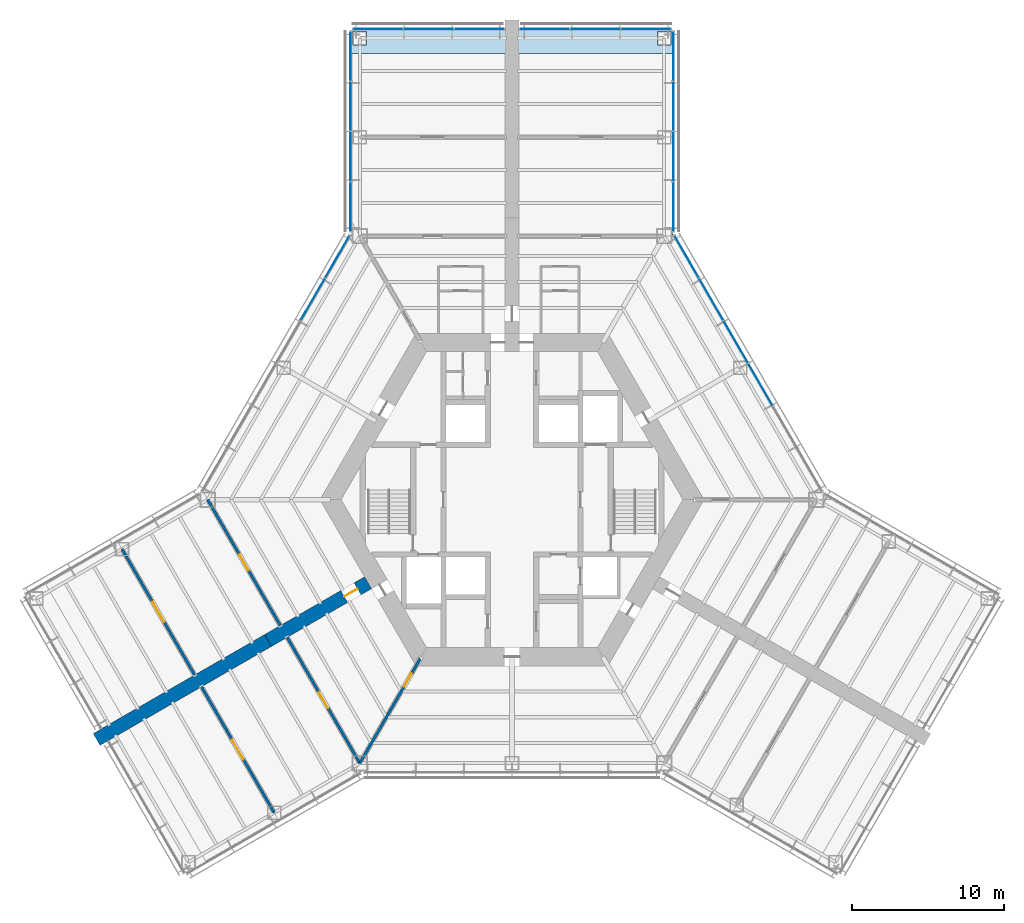
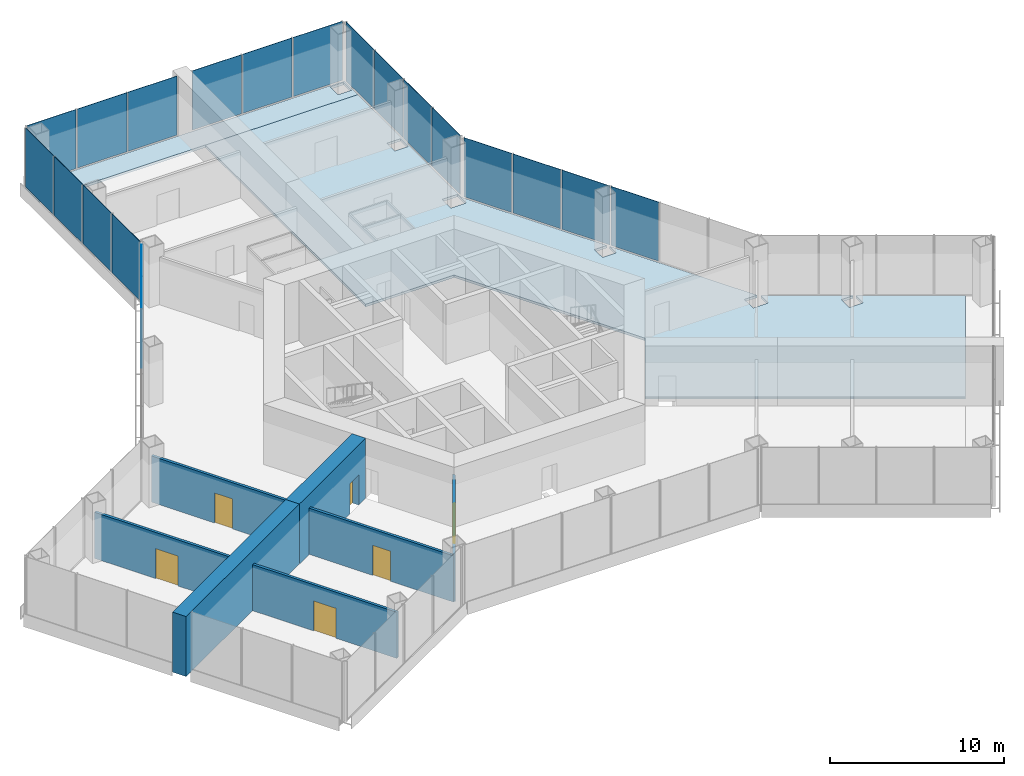
# One storey, part 10 of 15: 20 plates, 7 walls, 6 doors, 2 slabs, 6 openings, 6 elements without a shape of their own.
"""IFC4 building model written with IfcOpenShell, lengths in metres."""

from ifc_helpers import new_model, si_unit, direction, frame, frame_2d, origin, origin_2d, place, context, subcontext, project, spatial, polyline, rectangle, outline, extrude, material, layer, layer_set, type_object, element, fill, aggregate, save


model = new_model("IFC4")

# Units and contexts
model_context = context("Model", 3, precision=1e-05, world=origin(), true_north=direction((0.0, 1.0)))
body_context = subcontext(model_context, "Body", "Model", "MODEL_VIEW")
ifc_project = project(units=[si_unit("LENGTHUNIT", "METRE"), si_unit("AREAUNIT", "SQUARE_METRE"), si_unit("VOLUMEUNIT", "CUBIC_METRE"), si_unit("PLANEANGLEUNIT", "RADIAN"), si_unit("MASSUNIT", "GRAM", prefix="KILO")], contexts=[model_context])

# Site, building, storey
site_placement = place(None, origin())
site = spatial("IfcSite", under=ifc_project, at=site_placement, CompositionType="ELEMENT")
building_placement = place(site_placement, origin())
building = spatial("IfcBuilding", under=site, at=building_placement, Name="Kasaneha Research Tower", CompositionType="ELEMENT")
storey_placement = place(building_placement, frame((0.0, 0.0, 31.0)))
storey = spatial("IfcBuildingStorey", under=building, at=storey_placement, Name="L08", CompositionType="ELEMENT", Elevation=31.0)

# Curtain wall, plates
ifc_material_1 = material(Name="Glass and aluminium", Category="aluminium")
curtain_wall_type = type_object("IfcCurtainWallType", Name="Dry laboratory curtain wall", PredefinedType="USERDEFINED", material=ifc_material_1)
curtain_wall_1_placement = place(storey_placement, origin())
curtain_wall_1 = element("IfcCurtainWall", 1, at=curtain_wall_1_placement, inside=storey, type_object=curtain_wall_type, Name="CW-L2 L08 run 07a", ObjectType="UNITISED CURTAIN WALL", PredefinedType="USERDEFINED")
ifc_material_2 = material(Name="Laminated double glazing", Category="glass")
ifc_layer_1 = layer(ifc_material_2, 0.028076171875)
ifc_layer_set_1 = layer_set([ifc_layer_1], Name="CW-L2 glazed panel")
plate_type = type_object("IfcPlateType", Name="CW-L2 glazed panel", PredefinedType="CURTAIN_PANEL", material=ifc_layer_set_1)
plate_1_placement = place(storey_placement, frame((16.331298828125, 7.554443359375, 0.06494140625), z_axis=(0.0, 0.0, 1.0), x_axis=(-0.49999996188, 0.866025425793, 0.0)))
plate_1 = element("IfcPlate", 2, at=plate_1_placement, type_object=plate_type, Name="CW-L2 panel 3", PredefinedType="CURTAIN_PANEL", context=body_context, shape_type="SweptSolid", body=[
    extrude(rectangle(XDim=3.181396484375, YDim=0.028076171875, at=origin_2d()), origin(), (0.0, 0.0, 1.0), 4.135009765625),
])
plate_2_placement = place(storey_placement, frame((14.7080078125, 10.365966796875, 0.06494140625), z_axis=(0.0, 0.0, 1.0), x_axis=(-0.49999996188, 0.866025425793, 0.0)))
plate_2 = element("IfcPlate", 3, at=plate_2_placement, type_object=plate_type, Name="CW-L2 panel 4", PredefinedType="CURTAIN_PANEL", context=body_context, shape_type="SweptSolid", body=[
    extrude(rectangle(XDim=3.181396484375, YDim=0.028076171875, at=origin_2d()), origin(), (0.0, 0.0, 1.0), 4.135009765625),
])
plate_3_placement = place(storey_placement, frame((13.084716796875, 13.177490234375, 0.06494140625), z_axis=(0.0, 0.0, 1.0), x_axis=(-0.49999996188, 0.866025425793, 0.0)))
plate_3 = element("IfcPlate", 4, at=plate_3_placement, type_object=plate_type, Name="CW-L2 panel 5", PredefinedType="CURTAIN_PANEL", context=body_context, shape_type="SweptSolid", body=[
    extrude(rectangle(XDim=3.181396484375, YDim=0.028076171875, at=origin_2d()), origin(), (0.0, 0.0, 1.0), 4.135009765625),
])
plate_4_placement = place(storey_placement, frame((11.4697265625, 15.974853515625, 0.06494140625), z_axis=(0.0, 0.0, 1.0), x_axis=(-0.49999996188, 0.866025425793, 0.0)))
plate_4 = element("IfcPlate", 5, at=plate_4_placement, type_object=plate_type, Name="CW-L2 panel 6", PredefinedType="CURTAIN_PANEL", context=body_context, shape_type="SweptSolid", body=[
    extrude(rectangle(XDim=3.14892578125, YDim=0.028076171875, at=origin_2d()), origin(), (0.0, 0.0, 1.0), 4.135009765625),
])
aggregate(curtain_wall_1, [plate_1, plate_2, plate_3, plate_4])

curtain_wall_2_placement = place(storey_placement, origin())
curtain_wall_2 = element("IfcCurtainWall", 6, at=curtain_wall_2_placement, inside=storey, type_object=curtain_wall_type, Name="CW-L2 L08 run 08a", ObjectType="UNITISED CURTAIN WALL", PredefinedType="USERDEFINED")
plate_5_placement = place(storey_placement, frame((10.60009765625, 19.25244140625, 0.06494140625), z_axis=(0.0, 0.0, 1.0), x_axis=(0.0, 1.0, 0.0)))
plate_5 = element("IfcPlate", 7, at=plate_5_placement, type_object=plate_type, Name="CW-L2 panel 1", PredefinedType="CURTAIN_PANEL", context=body_context, shape_type="SweptSolid", body=[
    extrude(rectangle(XDim=3.21240234375, YDim=0.028076171875, at=origin_2d()), origin(), (0.0, 0.0, 1.0), 4.135009765625),
])
plate_6_placement = place(storey_placement, frame((10.60009765625, 22.5458984375, 0.06494140625), z_axis=(0.0, 0.0, 1.0), x_axis=(0.0, 1.0, 0.0)))
plate_6 = element("IfcPlate", 8, at=plate_6_placement, type_object=plate_type, Name="CW-L2 panel 2", PredefinedType="CURTAIN_PANEL", context=body_context, shape_type="SweptSolid", body=[
    extrude(rectangle(XDim=3.244873046875, YDim=0.028076171875, at=origin_2d()), origin(), (0.0, 0.0, 1.0), 4.135009765625),
])
plate_7_placement = place(storey_placement, frame((10.60009765625, 25.855712890625, 0.06494140625), z_axis=(0.0, 0.0, 1.0), x_axis=(0.0, 1.0, 0.0)))
plate_7 = element("IfcPlate", 9, at=plate_7_placement, type_object=plate_type, Name="CW-L2 panel 3", PredefinedType="CURTAIN_PANEL", context=body_context, shape_type="SweptSolid", body=[
    extrude(rectangle(XDim=3.244873046875, YDim=0.028076171875, at=origin_2d()), origin(), (0.0, 0.0, 1.0), 4.135009765625),
])
plate_8_placement = place(storey_placement, frame((10.60009765625, 29.1494140625, 0.06494140625), z_axis=(0.0, 0.0, 1.0), x_axis=(0.0, 1.0, 0.0)))
plate_8 = element("IfcPlate", 10, at=plate_8_placement, type_object=plate_type, Name="CW-L2 panel 4", PredefinedType="CURTAIN_PANEL", context=body_context, shape_type="SweptSolid", body=[
    extrude(rectangle(XDim=3.21240234375, YDim=0.028076171875, at=origin_2d()), origin(), (0.0, 0.0, 1.0), 4.135009765625),
])
aggregate(curtain_wall_2, [plate_5, plate_6, plate_7, plate_8])

curtain_wall_3_placement = place(storey_placement, origin())
curtain_wall_3 = element("IfcCurtainWall", 11, at=curtain_wall_3_placement, inside=storey, type_object=curtain_wall_type, Name="CW-L2 L08 run 09a", ObjectType="UNITISED CURTAIN WALL", PredefinedType="USERDEFINED")
plate_9_placement = place(storey_placement, frame((8.808837890625, 30.92041015625, 0.06494140625), z_axis=(0.0, 0.0, 1.0), x_axis=(-1.0, 0.0, 0.0)))
plate_9 = element("IfcPlate", 12, at=plate_9_placement, type_object=plate_type, Name="CW-L2 panel 1", PredefinedType="CURTAIN_PANEL", context=body_context, shape_type="SweptSolid", body=[
    extrude(rectangle(XDim=3.25244140625, YDim=0.028076171875, at=origin_2d()), origin(), (0.0, 0.0, 1.0), 4.135009765625),
])
plate_10_placement = place(storey_placement, frame((5.47509765625, 30.92041015625, 0.06494140625), z_axis=(0.0, 0.0, 1.0), x_axis=(-1.0, 0.0, 0.0)))
plate_10 = element("IfcPlate", 13, at=plate_10_placement, type_object=plate_type, Name="CW-L2 panel 2", PredefinedType="CURTAIN_PANEL", context=body_context, shape_type="SweptSolid", body=[
    extrude(rectangle(XDim=3.284912109375, YDim=0.028076171875, at=origin_2d()), origin(), (0.0, 0.0, 1.0), 4.135009765625),
])
plate_11_placement = place(storey_placement, frame((2.141357421875, 30.92041015625, 0.06494140625), z_axis=(0.0, 0.0, 1.0), x_axis=(-1.0, 0.0, 0.0)))
plate_11 = element("IfcPlate", 14, at=plate_11_placement, type_object=plate_type, Name="CW-L2 panel 3", PredefinedType="CURTAIN_PANEL", context=body_context, shape_type="SweptSolid", body=[
    extrude(rectangle(XDim=3.25244140625, YDim=0.028076171875, at=origin_2d()), origin(), (0.0, 0.0, 1.0), 4.135009765625),
])
aggregate(curtain_wall_3, [plate_9, plate_10, plate_11])

curtain_wall_4_placement = place(storey_placement, origin())
curtain_wall_4 = element("IfcCurtainWall", 15, at=curtain_wall_4_placement, inside=storey, type_object=curtain_wall_type, Name="CW-L2 L08 run 10a", ObjectType="UNITISED CURTAIN WALL", PredefinedType="USERDEFINED")
plate_12_placement = place(storey_placement, frame((-2.141357421875, 30.92041015625, 0.06494140625), z_axis=(0.0, 0.0, 1.0), x_axis=(-1.0, 0.0, 0.0)))
plate_12 = element("IfcPlate", 16, at=plate_12_placement, type_object=plate_type, Name="CW-L2 panel 1", PredefinedType="CURTAIN_PANEL", context=body_context, shape_type="SweptSolid", body=[
    extrude(rectangle(XDim=3.25244140625, YDim=0.028076171875, at=origin_2d()), origin(), (0.0, 0.0, 1.0), 4.135009765625),
])
plate_13_placement = place(storey_placement, frame((-5.47509765625, 30.92041015625, 0.06494140625), z_axis=(0.0, 0.0, 1.0), x_axis=(-1.0, 0.0, 0.0)))
plate_13 = element("IfcPlate", 17, at=plate_13_placement, type_object=plate_type, Name="CW-L2 panel 2", PredefinedType="CURTAIN_PANEL", context=body_context, shape_type="SweptSolid", body=[
    extrude(rectangle(XDim=3.284912109375, YDim=0.028076171875, at=origin_2d()), origin(), (0.0, 0.0, 1.0), 4.135009765625),
])
plate_14_placement = place(storey_placement, frame((-8.808837890625, 30.92041015625, 0.06494140625), z_axis=(0.0, 0.0, 1.0), x_axis=(-1.0, 0.0, 0.0)))
plate_14 = element("IfcPlate", 18, at=plate_14_placement, type_object=plate_type, Name="CW-L2 panel 3", PredefinedType="CURTAIN_PANEL", context=body_context, shape_type="SweptSolid", body=[
    extrude(rectangle(XDim=3.25244140625, YDim=0.028076171875, at=origin_2d()), origin(), (0.0, 0.0, 1.0), 4.135009765625),
])
aggregate(curtain_wall_4, [plate_12, plate_13, plate_14])

curtain_wall_5_placement = place(storey_placement, origin())
curtain_wall_5 = element("IfcCurtainWall", 19, at=curtain_wall_5_placement, inside=storey, type_object=curtain_wall_type, Name="CW-L2 L08 run 11a", ObjectType="UNITISED CURTAIN WALL", PredefinedType="USERDEFINED")
plate_15_placement = place(storey_placement, frame((-10.60009765625, 29.1494140625, 0.06494140625), z_axis=(0.0, 0.0, 1.0), x_axis=(0.0, -1.0, 0.0)))
plate_15 = element("IfcPlate", 20, at=plate_15_placement, type_object=plate_type, Name="CW-L2 panel 1", PredefinedType="CURTAIN_PANEL", context=body_context, shape_type="SweptSolid", body=[
    extrude(rectangle(XDim=3.21240234375, YDim=0.028076171875, at=origin_2d()), origin(), (0.0, 0.0, 1.0), 4.135009765625),
])
plate_16_placement = place(storey_placement, frame((-10.60009765625, 25.855712890625, 0.06494140625), z_axis=(0.0, 0.0, 1.0), x_axis=(0.0, -1.0, 0.0)))
plate_16 = element("IfcPlate", 21, at=plate_16_placement, type_object=plate_type, Name="CW-L2 panel 2", PredefinedType="CURTAIN_PANEL", context=body_context, shape_type="SweptSolid", body=[
    extrude(rectangle(XDim=3.244873046875, YDim=0.028076171875, at=origin_2d()), origin(), (0.0, 0.0, 1.0), 4.135009765625),
])
plate_17_placement = place(storey_placement, frame((-10.60009765625, 22.5458984375, 0.06494140625), z_axis=(0.0, 0.0, 1.0), x_axis=(0.0, -1.0, 0.0)))
plate_17 = element("IfcPlate", 22, at=plate_17_placement, type_object=plate_type, Name="CW-L2 panel 3", PredefinedType="CURTAIN_PANEL", context=body_context, shape_type="SweptSolid", body=[
    extrude(rectangle(XDim=3.244873046875, YDim=0.028076171875, at=origin_2d()), origin(), (0.0, 0.0, 1.0), 4.135009765625),
])
plate_18_placement = place(storey_placement, frame((-10.60009765625, 19.25244140625, 0.06494140625), z_axis=(0.0, 0.0, 1.0), x_axis=(0.0, -1.0, 0.0)))
plate_18 = element("IfcPlate", 23, at=plate_18_placement, type_object=plate_type, Name="CW-L2 panel 4", PredefinedType="CURTAIN_PANEL", context=body_context, shape_type="SweptSolid", body=[
    extrude(rectangle(XDim=3.21240234375, YDim=0.028076171875, at=origin_2d()), origin(), (0.0, 0.0, 1.0), 4.135009765625),
])
aggregate(curtain_wall_5, [plate_15, plate_16, plate_17, plate_18])

curtain_wall_6_placement = place(storey_placement, origin())
curtain_wall_6 = element("IfcCurtainWall", 24, at=curtain_wall_6_placement, inside=storey, type_object=curtain_wall_type, Name="CW-L2 L08 run 12a", ObjectType="UNITISED CURTAIN WALL", PredefinedType="USERDEFINED")
plate_19_placement = place(storey_placement, frame((-11.4697265625, 15.974853515625, 0.06494140625), z_axis=(0.0, 0.0, 1.0), x_axis=(-0.49999996188, -0.866025425793, 0.0)))
plate_19 = element("IfcPlate", 25, at=plate_19_placement, type_object=plate_type, Name="CW-L2 panel 1", PredefinedType="CURTAIN_PANEL", context=body_context, shape_type="SweptSolid", body=[
    extrude(rectangle(XDim=3.14892578125, YDim=0.028076171875, at=origin_2d()), origin(), (0.0, 0.0, 1.0), 4.135009765625),
])
plate_20_placement = place(storey_placement, frame((-13.084716796875, 13.177490234375, 0.06494140625), z_axis=(0.0, 0.0, 1.0), x_axis=(-0.49999996188, -0.866025425793, 0.0)))
plate_20 = element("IfcPlate", 26, at=plate_20_placement, type_object=plate_type, Name="CW-L2 panel 2", PredefinedType="CURTAIN_PANEL", context=body_context, shape_type="SweptSolid", body=[
    extrude(rectangle(XDim=3.181396484375, YDim=0.028076171875, at=origin_2d()), origin(), (0.0, 0.0, 1.0), 4.135009765625),
])
aggregate(curtain_wall_6, [plate_19, plate_20])

# Slabs
ifc_material_3 = material(Name="Concrete Fc24", Category="concrete")
ifc_layer_2 = layer(ifc_material_3, 0.169921875)
ifc_layer_set_2 = layer_set([ifc_layer_2], Name="Floor slab 170")
slab_type = type_object("IfcSlabType", Name="Floor slab 170", PredefinedType="FLOOR", material=ifc_layer_set_2)
slab_1_placement = place(storey_placement, frame((0.0, 0.0, -0.169921875)))
element("IfcSlab", 27, at=slab_1_placement, inside=storey, type_object=slab_type, Name="Floor slab L08 3", PredefinedType="FLOOR", context=body_context, shape_type="SweptSolid", body=[
    extrude(outline(polyline([(10.550048828125, 29.310546875), (0.449951171875, 29.310546875), (0.449951171875, 29.320556640625), (-0.449951171875, 29.320556640625), (-0.449951171875, 29.310546875), (-10.550048828125, 29.310546875), (-10.550048828125, 30.87060546875), (10.550048828125, 30.87060546875), (10.550048828125, 29.310546875)]), holes=[polyline([(-9.550048828125, 29.87060546875), (-9.550048828125, 30.7705078125), (-10.449951171875, 30.7705078125), (-10.449951171875, 29.87060546875), (-9.550048828125, 29.87060546875)]), polyline([(9.550048828125, 29.87060546875), (10.449951171875, 29.87060546875), (10.449951171875, 30.7705078125), (9.550048828125, 30.7705078125), (9.550048828125, 29.87060546875)])]), origin(), (0.0, 0.0, 1.0), 0.169921875),
])
slab_2_placement = place(storey_placement, frame((0.0, 0.0, -0.169921875)))
element("IfcSlab", 28, at=slab_2_placement, inside=storey, type_object=slab_type, Name="Floor slab L08 5", PredefinedType="FLOOR", context=body_context, shape_type="SweptSolid", body=[
    extrude(outline(polyline([(9.686279296875, -5.07275390625), (12.614990234375, 0.0), (6.3076171875, 10.925048828125), (0.449951171875, 10.925048828125), (0.449951171875, 29.310546875), (10.550048828125, 29.310546875), (10.550048828125, 17.4677734375), (15.375244140625, 9.1103515625), (14.550048828125, 9.1103515625), (14.550048828125, 8.210205078125), (15.449951171875, 8.210205078125), (15.449951171875, 8.980712890625), (20.346435546875, 0.5), (19.5, 0.5), (19.5, -0.5), (20.5, -0.5), (20.5, 0.346435546875), (25.083740234375, -2.300048828125), (24.313232421875, -2.300048828125), (24.313232421875, -3.199951171875), (25.213134765625, -3.199951171875), (25.213134765625, -2.374755859375), (30.65869140625, -5.518798828125), (25.608642578125, -14.265625), (9.686279296875, -5.07275390625)]), holes=[polyline([(9.5, 16.820556640625), (10.5, 16.820556640625), (10.5, 17.820556640625), (9.5, 17.820556640625), (9.5, 16.820556640625)]), polyline([(9.550048828125, 23.37060546875), (10.449951171875, 23.37060546875), (10.449951171875, 24.2705078125), (9.550048828125, 24.2705078125), (9.550048828125, 23.37060546875)])]), origin(), (0.0, 0.0, 1.0), 0.169921875),
])

# Wall, opening, door
ifc_material_4 = material(Name="Gypsum board on steel studs, two layers each side", Category="steel")
ifc_layer_3 = layer(ifc_material_4, 0.175048828125)
ifc_layer_set_3 = layer_set([ifc_layer_3], Name="Laboratory fire partition 175")
wall_type_1 = type_object("IfcWallType", Name="Laboratory fire partition 175", PredefinedType="PARTITIONING", material=ifc_layer_set_3)
wall_1_placement = place(storey_placement, frame((-15.22509765625, -8.2705078125, 0.0), z_axis=(0.0, 0.0, 1.0), x_axis=(-0.499993908199, 0.866028920859, 0.0)))
wall_1 = element("IfcWall", 29, at=wall_1_placement, inside=storey, type_object=wall_type_1, Name="Laboratory fire partition LABB-N L08", PredefinedType="PARTITIONING", context=body_context, shape_type="SweptSolid", body=[
    extrude(rectangle(XDim=9.5498046875, YDim=0.175048828125, at=frame_2d((4.77490234375, 0.0))), origin(), (0.0, 0.0, 1.0), 3.238037109375),
])
opening_1_placement = place(wall_1_placement, frame((4.175048828125, 0.0, 0.0)))
opening_1 = element("IfcOpeningElement", 30, at=opening_1_placement, cuts=wall_1, Name="Opening L08-D33", PredefinedType="OPENING", context=body_context, shape_type="SweptSolid", body=[
    extrude(rectangle(XDim=1.199951171875, YDim=2.10009765625, at=frame_2d((0.60009765625, 1.050048828125))), frame((0.0, 0.09765625, 0.0), z_axis=(0.0, -1.0, 0.0), x_axis=(1.0, 0.0, 0.0)), (0.0, 0.0, 1.0), 0.195068359375),
])
ifc_material_5 = material(Name="Steel", Category="steel")
door_type_1 = type_object("IfcDoorType", Name="Laboratory door FD60 1200x2100", OperationType="DOUBLE_DOOR_SINGLE_SWING", PredefinedType="DOOR", material=ifc_material_5)
door_1_placement = place(opening_1_placement, origin())
door_1 = element("IfcDoor", 31, at=door_1_placement, inside=storey, type_object=door_type_1, Name="Laboratory door L08-D33", OperationType="DOUBLE_DOOR_SINGLE_SWING", OverallHeight=2.10009765625, OverallWidth=1.199951171875, PredefinedType="DOOR", context=body_context, shape_type="SweptSolid", body=[
    extrude(rectangle(XDim=1.199951171875, YDim=2.10009765625, at=frame_2d((0.60009765625, 1.050048828125))), frame((0.0, 0.02490234375, 0.0), z_axis=(0.0, -1.0, 0.0), x_axis=(1.0, 0.0, 0.0)), (0.0, 0.0, 1.0), 0.050048828125),
])
fill(opening_1, door_1)

wall_2_placement = place(storey_placement, frame((-20.854248046875, -11.5205078125, 0.0), z_axis=(0.0, 0.0, 1.0), x_axis=(-0.499993908199, 0.866028920859, 0.0)))
wall_2 = element("IfcWall", 32, at=wall_2_placement, inside=storey, type_object=wall_type_1, Name="Laboratory fire partition INSB-N L08", PredefinedType="PARTITIONING", context=body_context, shape_type="SweptSolid", body=[
    extrude(rectangle(XDim=9.5498046875, YDim=0.175048828125, at=frame_2d((4.77490234375, 0.0))), origin(), (0.0, 0.0, 1.0), 3.22998046875),
])
opening_2_placement = place(wall_2_placement, frame((4.02490234375, 0.0, 0.0)))
opening_2 = element("IfcOpeningElement", 33, at=opening_2_placement, cuts=wall_2, Name="Opening L08-D34", PredefinedType="OPENING", context=body_context, shape_type="SweptSolid", body=[
    extrude(rectangle(XDim=1.5, YDim=2.10009765625, at=frame_2d((0.75, 1.050048828125))), frame((0.0, 0.09765625, 0.0), z_axis=(0.0, -1.0, 0.0), x_axis=(1.0, 0.0, 0.0)), (0.0, 0.0, 1.0), 0.195068359375),
])
ifc_material_6 = material(Name="Steel", Category="steel")
door_type_2 = type_object("IfcDoorType", Name="Laboratory door FD60 1500x2100", OperationType="DOUBLE_DOOR_SINGLE_SWING", PredefinedType="DOOR", material=ifc_material_6)
door_2_placement = place(opening_2_placement, origin())
door_2 = element("IfcDoor", 34, at=door_2_placement, inside=storey, type_object=door_type_2, Name="Instrument room door L08-D34", OperationType="DOUBLE_DOOR_SINGLE_SWING", OverallHeight=2.10009765625, OverallWidth=1.5, PredefinedType="DOOR", context=body_context, shape_type="SweptSolid", body=[
    extrude(rectangle(XDim=1.5, YDim=2.10009765625, at=frame_2d((0.75, 1.050048828125))), frame((0.0, 0.02490234375, 0.0), z_axis=(0.0, -1.0, 0.0), x_axis=(1.0, 0.0, 0.0)), (0.0, 0.0, 1.0), 0.050048828125),
])
fill(opening_2, door_2)

wall_3_placement = place(storey_placement, frame((-14.77490234375, -9.050048828125, 0.0), z_axis=(0.0, 0.0, 1.0), x_axis=(0.499993908199, -0.866028920859, 0.0)))
wall_3 = element("IfcWall", 35, at=wall_3_placement, inside=storey, type_object=wall_type_1, Name="Laboratory fire partition LABB-S L08", PredefinedType="PARTITIONING", context=body_context, shape_type="SweptSolid", body=[
    extrude(rectangle(XDim=9.5498046875, YDim=0.175048828125, at=frame_2d((4.77490234375, 0.0))), origin(), (0.0, 0.0, 1.0), 3.238037109375),
])
opening_3_placement = place(wall_3_placement, frame((4.175048828125, 0.0, 0.0)))
opening_3 = element("IfcOpeningElement", 36, at=opening_3_placement, cuts=wall_3, Name="Opening L08-D35", PredefinedType="OPENING", context=body_context, shape_type="SweptSolid", body=[
    extrude(rectangle(XDim=1.199951171875, YDim=2.10009765625, at=frame_2d((0.60009765625, 1.050048828125))), frame((0.0, 0.09765625, 0.0), z_axis=(0.0, -1.0, 0.0), x_axis=(1.0, 0.0, 0.0)), (0.0, 0.0, 1.0), 0.195068359375),
])
door_3_placement = place(opening_3_placement, origin())
door_3 = element("IfcDoor", 37, at=door_3_placement, inside=storey, type_object=door_type_1, Name="Laboratory door L08-D35", OperationType="DOUBLE_DOOR_SINGLE_SWING", OverallHeight=2.10009765625, OverallWidth=1.199951171875, PredefinedType="DOOR", context=body_context, shape_type="SweptSolid", body=[
    extrude(rectangle(XDim=1.199951171875, YDim=2.10009765625, at=frame_2d((0.60009765625, 1.050048828125))), frame((0.0, 0.02490234375, 0.0), z_axis=(0.0, -1.0, 0.0), x_axis=(1.0, 0.0, 0.0)), (0.0, 0.0, 1.0), 0.050048828125),
])
fill(opening_3, door_3)

wall_4_placement = place(storey_placement, frame((-20.404052734375, -12.300048828125, 0.0), z_axis=(0.0, 0.0, 1.0), x_axis=(0.499993908199, -0.866028920859, 0.0)))
wall_4 = element("IfcWall", 38, at=wall_4_placement, inside=storey, type_object=wall_type_1, Name="Laboratory fire partition INSB-S L08", PredefinedType="PARTITIONING", context=body_context, shape_type="SweptSolid", body=[
    extrude(rectangle(XDim=9.5498046875, YDim=0.175048828125, at=frame_2d((4.77490234375, 0.0))), origin(), (0.0, 0.0, 1.0), 3.22998046875),
])
opening_4_placement = place(wall_4_placement, frame((4.02490234375, 0.0, 0.0)))
opening_4 = element("IfcOpeningElement", 39, at=opening_4_placement, cuts=wall_4, Name="Opening L08-D36", PredefinedType="OPENING", context=body_context, shape_type="SweptSolid", body=[
    extrude(rectangle(XDim=1.5, YDim=2.10009765625, at=frame_2d((0.75, 1.050048828125))), frame((0.0, 0.09765625, 0.0), z_axis=(0.0, -1.0, 0.0), x_axis=(1.0, 0.0, 0.0)), (0.0, 0.0, 1.0), 0.195068359375),
])
door_4_placement = place(opening_4_placement, origin())
door_4 = element("IfcDoor", 40, at=door_4_placement, inside=storey, type_object=door_type_2, Name="Instrument room door L08-D36", OperationType="DOUBLE_DOOR_SINGLE_SWING", OverallHeight=2.10009765625, OverallWidth=1.5, PredefinedType="DOOR", context=body_context, shape_type="SweptSolid", body=[
    extrude(rectangle(XDim=1.5, YDim=2.10009765625, at=frame_2d((0.75, 1.050048828125))), frame((0.0, 0.02490234375, 0.0), z_axis=(0.0, -1.0, 0.0), x_axis=(1.0, 0.0, 0.0)), (0.0, 0.0, 1.0), 0.050048828125),
])
fill(opening_4, door_4)

ifc_material_7 = material(Name="Concrete Fc100", Category="concrete")
ifc_layer_4 = layer(ifc_material_7, 0.89990234375)
ifc_layer_set_4 = layer_set([ifc_layer_4], Name="Spine wall 900 Fc100")
wall_type_2 = type_object("IfcWallType", Name="Spine wall 900 Fc100", PredefinedType="SHEAR", material=ifc_layer_set_4)
wall_5_placement = place(storey_placement, frame((-9.46142578125, -5.46240234375, 0.0), z_axis=(0.0, 0.0, 1.0), x_axis=(-0.866019116917, -0.500010889016, 0.0)))
wall_5 = element("IfcWall", 41, at=wall_5_placement, inside=storey, type_object=wall_type_2, Name="Spine wall B L08", PredefinedType="SHEAR", context=body_context, shape_type="SweptSolid", body=[
    extrude(rectangle(XDim=7.595458984375, YDim=0.89990234375, at=frame_2d((3.7978515625, 0.0))), origin(), (0.0, 0.0, 1.0), 4.199951171875),
])
opening_5_placement = place(wall_5_placement, frame((0.800048828125, 0.0, 0.0)))
opening_5 = element("IfcOpeningElement", 42, at=opening_5_placement, cuts=wall_5, Name="Opening L08-D18", PredefinedType="OPENING", context=body_context, shape_type="SweptSolid", body=[
    extrude(rectangle(XDim=1.0, YDim=2.10009765625, at=frame_2d((0.5, 1.050048828125))), frame((0.0, 0.4599609375, 0.0), z_axis=(0.0, -1.0, 0.0), x_axis=(1.0, 0.0, 0.0)), (0.0, 0.0, 1.0), 0.919921875),
])
ifc_material_8 = material(Name="Steel", Category="steel")
door_type_3 = type_object("IfcDoorType", Name="Specified fire door FD60 1000x2100", OperationType="NOTDEFINED", PredefinedType="DOOR", material=ifc_material_8)
door_5_placement = place(opening_5_placement, origin())
door_5 = element("IfcDoor", 43, at=door_5_placement, inside=storey, type_object=door_type_3, Name="Spine doorway B L08-D18", OperationType="SINGLE_SWING_LEFT", OverallHeight=2.10009765625, OverallWidth=1.0, PredefinedType="DOOR", context=body_context, shape_type="SweptSolid", body=[
    extrude(rectangle(XDim=1.0, YDim=2.10009765625, at=frame_2d((0.5, 1.050048828125))), frame((0.0, 0.02490234375, 0.0), z_axis=(0.0, -1.0, 0.0), x_axis=(1.0, 0.0, 0.0)), (0.0, 0.0, 1.0), 0.050048828125),
])
fill(opening_5, door_5)

# Wall
wall_6_placement = place(storey_placement, frame((-16.039306640625, -9.26025390625, 0.0), z_axis=(0.0, 0.0, 1.0), x_axis=(-0.866024837091, -0.50000098154, 0.0)))
element("IfcWall", 44, at=wall_6_placement, inside=storey, type_object=wall_type_2, Name="Spine wall B wing L08", PredefinedType="SHEAR", context=body_context, shape_type="SweptSolid", body=[
    extrude(rectangle(XDim=13.0, YDim=0.89990234375, at=frame_2d((6.5, 0.0))), origin(), (0.0, 0.0, 1.0), 4.199951171875),
])

# Wall, opening, door
ifc_material_9 = material(Name="Gypsum board on steel studs, two layers each side", Category="steel")
ifc_layer_5 = layer(ifc_material_9, 0.175048828125)
ifc_layer_set_5 = layer_set([ifc_layer_5], Name="Tenancy fire partition 175")
wall_type_3 = type_object("IfcWallType", Name="Tenancy fire partition 175", PredefinedType="PARTITIONING", material=ifc_layer_set_5)
wall_7_placement = place(storey_placement, frame((-6.03515625, -10.453125, 0.0), z_axis=(0.0, 0.0, 1.0), x_axis=(-0.499993402427, -0.866029212861, 0.0)))
wall_7 = element("IfcWall", 45, at=wall_7_placement, inside=storey, type_object=wall_type_3, Name="Tenancy fire partition T240 L08", PredefinedType="PARTITIONING", context=body_context, shape_type="SweptSolid", body=[
    extrude(outline(polyline([(-0.050537109375, -0.08740234375), (1.12939453125, -0.08740234375), (2.12939453125, -0.08740234375), (7.9296875, -0.08740234375), (7.9296875, 0.08740234375), (2.12939453125, 0.08740234375), (1.12939453125, 0.08740234375), (0.050537109375, 0.08740234375), (-0.050537109375, -0.08740234375)])), origin(), (0.0, 0.0, 1.0), 3.330078125),
])
opening_6_placement = place(wall_7_placement, frame((1.12939453125, 0.0, 0.0)))
opening_6 = element("IfcOpeningElement", 46, at=opening_6_placement, cuts=wall_7, Name="Opening L08-D24", PredefinedType="OPENING", context=body_context, shape_type="SweptSolid", body=[
    extrude(rectangle(XDim=1.0, YDim=2.10009765625, at=frame_2d((0.5, 1.050048828125))), frame((0.0, 0.09765625, 0.0), z_axis=(0.0, -1.0, 0.0), x_axis=(1.0, 0.0, 0.0)), (0.0, 0.0, 1.0), 0.195068359375),
])
ifc_material_10 = material(Name="Steel", Category="steel")
door_type_4 = type_object("IfcDoorType", Name="Suite entrance door FD60 1000x2100", OperationType="NOTDEFINED", PredefinedType="DOOR", material=ifc_material_10)
door_6_placement = place(opening_6_placement, origin())
door_6 = element("IfcDoor", 47, at=door_6_placement, inside=storey, type_object=door_type_4, Name="Connecting door L08-D24", OperationType="SINGLE_SWING_LEFT", OverallHeight=2.10009765625, OverallWidth=1.0, PredefinedType="DOOR", context=body_context, shape_type="SweptSolid", body=[
    extrude(rectangle(XDim=1.0, YDim=2.10009765625, at=frame_2d((0.5, 1.050048828125))), frame((0.0, 0.02490234375, 0.0), z_axis=(0.0, -1.0, 0.0), x_axis=(1.0, 0.0, 0.0)), (0.0, 0.0, 1.0), 0.050048828125),
])
fill(opening_6, door_6)

save(model, "model.ifc")
